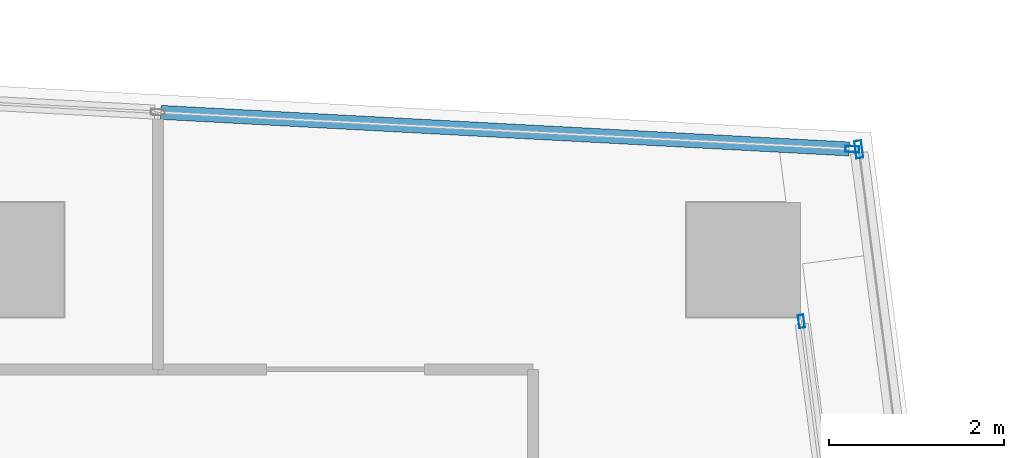
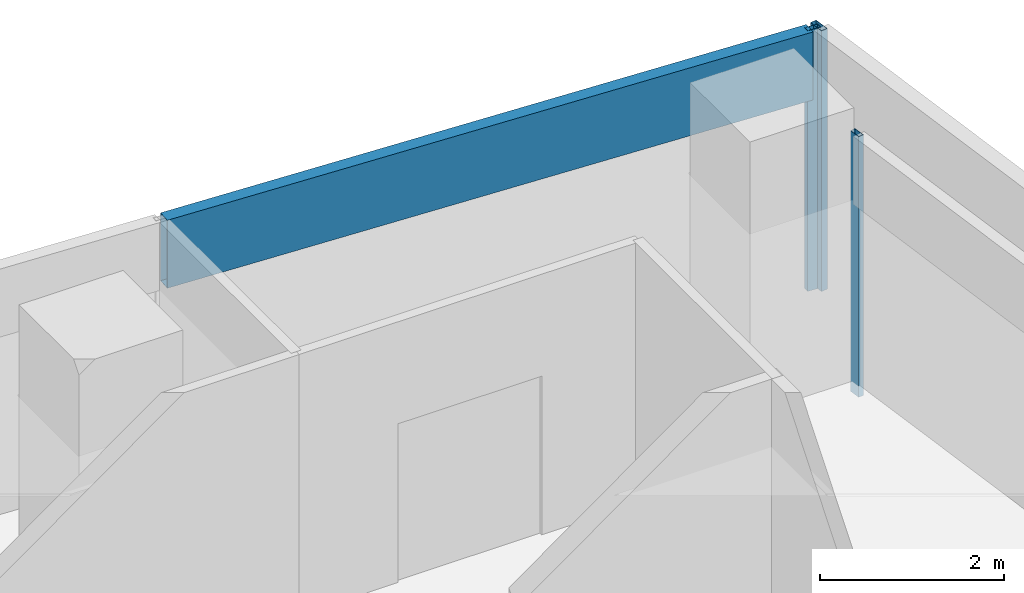
# One storey, part 20 of 30: 4 members, 3 elements without a shape of their own.
"""IFC4 building model written with IfcOpenShell, lengths in metres."""

from ifc_helpers import new_model, si_unit, direction, frame, origin, origin_2d, place, context, subcontext, project, spatial, hollow_rectangle, extrude, material, material_profile, profile_set, type_object, element, aggregate, save


model = new_model("IFC4")

# Units and contexts
model_context = context("Model", 3, precision=1e-05, world=origin(), true_north=direction((0.0, 1.0)))
body_context = subcontext(model_context, "Body", "Model", "MODEL_VIEW")
ifc_project = project(units=[si_unit("LENGTHUNIT", "METRE"), si_unit("AREAUNIT", "SQUARE_METRE"), si_unit("VOLUMEUNIT", "CUBIC_METRE"), si_unit("PLANEANGLEUNIT", "RADIAN"), si_unit("MASSUNIT", "GRAM", prefix="KILO")], contexts=[model_context])

# Site, building, storey
site_placement = place(None, origin())
site = spatial("IfcSite", under=ifc_project, at=site_placement, CompositionType="ELEMENT")
building_placement = place(site_placement, origin())
building = spatial("IfcBuilding", under=site, at=building_placement, Name="Rekha Terrace Tower", CompositionType="ELEMENT")
storey_placement = place(building_placement, frame((0.0, 0.0, 287.60009765625)))
storey = spatial("IfcBuildingStorey", under=building, at=storey_placement, Name="L73", CompositionType="ELEMENT", Elevation=287.60009765625)

# Curtain wall, member
ifc_material_1 = material(Name="Aluminium framing", Category="aluminium")
curtain_wall_type_1 = type_object("IfcCurtainWallType", Name="CW1 double skin inner glazing", PredefinedType="USERDEFINED", material=ifc_material_1)
curtain_wall_1_placement = place(storey_placement, origin())
curtain_wall_1 = element("IfcCurtainWall", 1, at=curtain_wall_1_placement, inside=storey, type_object=curtain_wall_type_1, Name="CW1 double skin inner glazing", ObjectType="DOUBLE SKIN INNER GLAZING", PredefinedType="USERDEFINED")
ifc_material_2 = material(Name="Aluminium mullion section", Category="aluminium")
ifc_material_profile_1 = material_profile(ifc_material_2, hollow_rectangle(XDim=0.06494140625, YDim=0.14990234375, WallThickness=0.00390625, at=origin_2d()), Name="AL RHS 65x150")
ifc_profile_set_1 = profile_set([ifc_material_profile_1], Name="Aluminium mullion section")
member_type_1 = type_object("IfcMemberType", Name="CW1 mullion RHS 65 x 150", PredefinedType="MULLION", material=ifc_profile_set_1)
member_1_placement = place(storey_placement, frame((59.458740234375, 49.6982421875, 0.0), z_axis=(0.0, 0.0, 1.0), x_axis=(-0.991790949472, -0.127869904766, 0.0)))
member_1 = element("IfcMember", 2, at=member_1_placement, type_object=member_type_1, Name="CW1 mullion 2", PredefinedType="MULLION", context=body_context, shape_type="SweptSolid", body=[
    extrude(hollow_rectangle(XDim=0.06494140625, YDim=0.14990234375, WallThickness=0.00390625, at=origin_2d()), origin(), (0.0, 0.0, 1.0), 3.449951171875),
])
aggregate(curtain_wall_1, [member_1])

curtain_wall_type_2 = type_object("IfcCurtainWallType", Name="CW2 double skin outer glazing", PredefinedType="USERDEFINED", material=ifc_material_1)
curtain_wall_2_placement = place(storey_placement, origin())
curtain_wall_2 = element("IfcCurtainWall", 3, at=curtain_wall_2_placement, inside=storey, type_object=curtain_wall_type_2, Name="CW2 double skin outer glazing", ObjectType="DOUBLE SKIN OUTER GLAZING", PredefinedType="USERDEFINED")
ifc_material_profile_2 = material_profile(ifc_material_2, hollow_rectangle(XDim=0.080078125, YDim=0.199951171875, WallThickness=0.00390625, at=origin_2d()), Name="AL RHS 80x200")
ifc_profile_set_2 = profile_set([ifc_material_profile_2], Name="Aluminium mullion section")
member_type_2 = type_object("IfcMemberType", Name="CW2 mullion RHS 80 x 200", PredefinedType="MULLION", material=ifc_profile_set_2)
member_2_placement = place(storey_placement, frame((60.113525390625, 51.65771484375, 0.0), z_axis=(0.0, 0.0, 1.0), x_axis=(-0.991790949459, -0.12786990487, 0.0)))
member_2 = element("IfcMember", 4, at=member_2_placement, type_object=member_type_2, Name="CW2 mullion 2", PredefinedType="MULLION", context=body_context, shape_type="SweptSolid", body=[
    extrude(hollow_rectangle(XDim=0.080078125, YDim=0.199951171875, WallThickness=0.00390625, at=origin_2d()), origin(), (0.0, 0.0, 1.0), 3.449951171875),
])
aggregate(curtain_wall_2, [member_2])

# Curtain wall, members
curtain_wall_type_3 = type_object("IfcCurtainWallType", Name="CW3 north unitised glazing", PredefinedType="USERDEFINED", material=ifc_material_1)
curtain_wall_3_placement = place(storey_placement, origin())
curtain_wall_3 = element("IfcCurtainWall", 5, at=curtain_wall_3_placement, inside=storey, type_object=curtain_wall_type_3, Name="CW3 unitised curtain wall", ObjectType="UNITISED CURTAIN WALL", PredefinedType="USERDEFINED")
ifc_material_profile_3 = material_profile(ifc_material_2, hollow_rectangle(XDim=0.070068359375, YDim=0.159912109375, WallThickness=0.00390625, at=origin_2d()), Name="AL RHS 70x160")
ifc_profile_set_3 = profile_set([ifc_material_profile_3], Name="Aluminium mullion section")
member_type_3 = type_object("IfcMemberType", Name="CW3 mullion RHS 70 x 160", PredefinedType="MULLION", material=ifc_profile_set_3)
member_3_placement = place(storey_placement, frame((60.0380859375, 51.660888671875, 0.0), z_axis=(0.0, 0.0, 1.0), x_axis=(-0.053083275524, -0.998590089005, 0.0)))
member_3 = element("IfcMember", 6, at=member_3_placement, type_object=member_type_3, Name="CW3 mullion 1", PredefinedType="MULLION", context=body_context, shape_type="SweptSolid", body=[
    extrude(hollow_rectangle(XDim=0.070068359375, YDim=0.159912109375, WallThickness=0.00390625, at=origin_2d()), origin(), (0.0, 0.0, 1.0), 3.449951171875),
])
ifc_material_3 = material(Name="Insulated aluminium spandrel box", Category="aluminium")
ifc_material_profile_4 = material_profile(ifc_material_3, hollow_rectangle(XDim=0.159912109375, YDim=0.89990234375, WallThickness=0.0029296875, at=origin_2d()), Name="AL SPANDREL BOX 160x900")
ifc_profile_set_4 = profile_set([ifc_material_profile_4], Name="Insulated aluminium spandrel box")
member_type_4 = type_object("IfcMemberType", Name="CW3 spandrel transom 160 x 900", PredefinedType="USERDEFINED", material=ifc_profile_set_4)
member_4_placement = place(storey_placement, frame((60.003173828125, 51.662841796875, 3.0), z_axis=(-0.99859048353, 0.053075853302, 0.0), x_axis=(-0.053075853302, -0.99859048353, 0.0)))
member_4 = element("IfcMember", 7, at=member_4_placement, type_object=member_type_4, Name="CW3 spandrel transom 1", ObjectType="TRANSOM", PredefinedType="USERDEFINED", context=body_context, shape_type="SweptSolid", body=[
    extrude(hollow_rectangle(XDim=0.159912109375, YDim=0.89990234375, WallThickness=0.0029296875, at=origin_2d()), origin(), (0.0, 0.0, 1.0), 7.8564453125),
])
aggregate(curtain_wall_3, [member_3, member_4])

save(model, "model.ifc")
